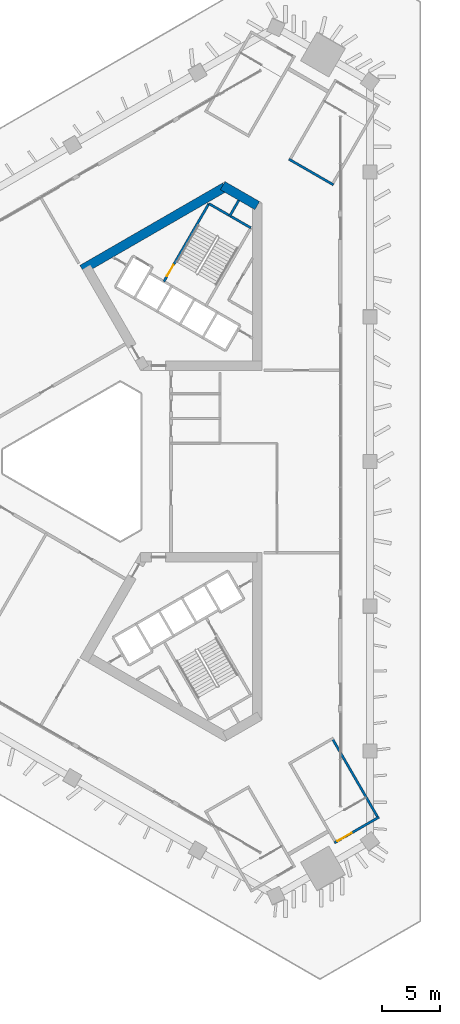
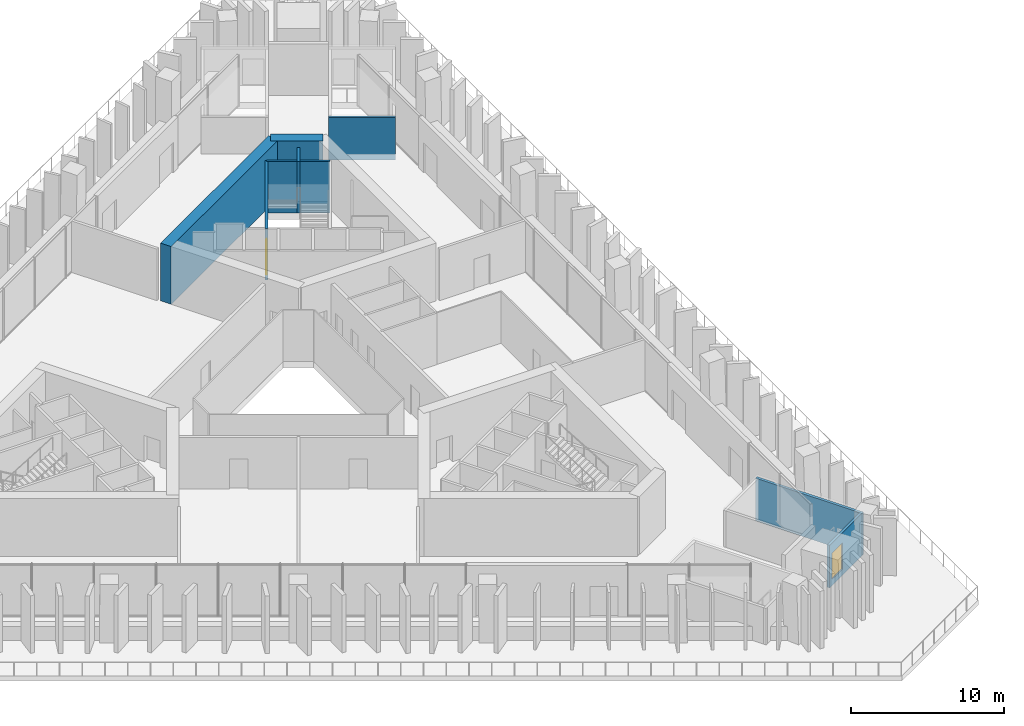
# One storey, part 19 of 31: 8 walls, 2 doors, 2 openings.
"""IFC4 building model written with IfcOpenShell, lengths in metres."""

import ifcopenshell
import ifcopenshell.guid

model = None  # the IFC model being written
_history = None  # IfcOwnerHistory: only IFC2X3 demands one
_inside = {}  # id of a spatial element -> (the spatial element, [elements in it])
_under = {}  # id of a project, library or spatial element -> (it, [spatial elements below it])
_declared = {}  # id of a project -> (the project, [libraries it declares])
_typed = {}  # id of a type object -> (the type object, [elements of that type])
_made_of = {}  # id of a material, layer set ... -> (it, [elements and type objects made of it])


def new_model(schema):
    """Start an empty IFC model of exactly this schema.

    Asked for "IFC4X3", IfcOpenShell would pick the latest addendum, in which some entities
    have other attributes; the version numbers below select the first issue.
    IFC2X3 requires an IfcOwnerHistory on every rooted entity: one is made here for all.
    """
    global model, _history
    if schema == "IFC4X3":
        model = ifcopenshell.file(schema_version=(4, 3, 0, 0))
    else:
        model = ifcopenshell.file(schema=schema)
    _inside.clear()
    _under.clear()
    _declared.clear()
    _typed.clear()
    _made_of.clear()
    _history = None
    if model.schema == "IFC2X3":
        org = make("IfcOrganization", Name="unknown")
        user = make(
            "IfcPersonAndOrganization",
            ThePerson=make("IfcPerson", FamilyName="unknown"),
            TheOrganization=org,
        )
        app = make(
            "IfcApplication",
            ApplicationDeveloper=org,
            Version="unknown",
            ApplicationFullName="unknown",
            ApplicationIdentifier="unknown",
        )
        _history = make(
            "IfcOwnerHistory",
            OwningUser=user,
            OwningApplication=app,
            ChangeAction="ADDED",
            CreationDate=0,
        )
    return model


def make(cls, **values):
    """One entity of the class cls with the attributes given. An attribute that is None is left unset."""
    return model.create_entity(
        cls, **{name: value for name, value in values.items() if value is not None}
    )


def rooted(cls, **values):
    """An entity with a GlobalId (a new one), such as an element, a storey or a relation."""
    return make(cls, GlobalId=ifcopenshell.guid.new(), OwnerHistory=_history, **values)


def si_unit(unit_type, name, prefix=None):
    """IfcSIUnit, for example si_unit("LENGTHUNIT", "METRE", prefix="MILLI")."""
    return make("IfcSIUnit", UnitType=unit_type, Prefix=prefix, Name=name)


def assignment(units):
    """IfcUnitAssignment: the units of a project."""
    return None if units is None else make("IfcUnitAssignment", Units=units)


def point(xyz):
    """IfcCartesianPoint."""
    return None if xyz is None else make("IfcCartesianPoint", Coordinates=xyz)


def direction(xyz):
    """IfcDirection."""
    return None if xyz is None else make("IfcDirection", DirectionRatios=xyz)


def frame(location, z_axis=None, x_axis=None):
    """IfcAxis2Placement3D, a coordinate frame: its origin and axes. An axis left out is left unset."""
    return make(
        "IfcAxis2Placement3D",
        Location=point(location),
        Axis=direction(z_axis),
        RefDirection=direction(x_axis),
    )


def frame_2d(location, x_axis=None):
    """IfcAxis2Placement2D, a coordinate frame in the plane: its origin and x axis."""
    return make(
        "IfcAxis2Placement2D", Location=point(location), RefDirection=direction(x_axis)
    )


def origin():
    """The frame at (0, 0, 0) with its axes left unset."""
    return frame((0.0, 0.0, 0.0))


def place(relative_to, where):
    """IfcLocalPlacement: puts the frame where relative to a parent placement (None: the world)."""
    return make(
        "IfcLocalPlacement", PlacementRelTo=relative_to, RelativePlacement=where
    )


def context(
    kind, dimensions, precision=None, world=None, true_north=None, identifier=None
):
    """IfcGeometricRepresentationContext, for example the 3D "Model" context."""
    return make(
        "IfcGeometricRepresentationContext",
        ContextIdentifier=identifier,
        ContextType=kind,
        CoordinateSpaceDimension=dimensions,
        Precision=precision,
        WorldCoordinateSystem=world,
        TrueNorth=true_north,
    )


def subcontext(parent, identifier, kind, view, scale=None):
    """IfcGeometricRepresentationSubContext, for example "Body" below "Model"."""
    return make(
        "IfcGeometricRepresentationSubContext",
        ContextIdentifier=identifier,
        ContextType=kind,
        ParentContext=parent,
        TargetScale=scale,
        TargetView=view,
    )


def project(units=None, contexts=None):
    """IfcProject with its units and contexts."""
    return rooted(
        "IfcProject",
        Name="project",
        RepresentationContexts=contexts,
        UnitsInContext=assignment(units),
    )


def spatial(cls, under=None, at=None, **own):
    """A site, building, storey or space (cls), placed at a placement, below another one or the project."""
    s = rooted(cls, ObjectPlacement=at, **own)
    if under is not None:
        _under.setdefault(under.id(), (under, []))[1].append(s)
    return s


def profile(cls, at=None, kind="AREA", **sizes):
    """A parametric profile (cls). Its sizes go by their IFC names, for example OverallWidth=200.0."""
    return make(cls, ProfileType=kind, Position=at, **sizes)


def rectangle(**sizes):
    """IfcRectangleProfileDef."""
    return profile("IfcRectangleProfileDef", **sizes)


def extrude(swept, where, along, depth):
    """IfcExtrudedAreaSolid: the profile swept, set in the frame where, extruded along a direction by depth."""
    return make(
        "IfcExtrudedAreaSolid",
        SweptArea=swept,
        Position=where,
        ExtrudedDirection=direction(along),
        Depth=depth,
    )


def shape(context_of_items, identifier, shape_type, items):
    """IfcShapeRepresentation: the items that make up one representation, for example the "Body"."""
    return make(
        "IfcShapeRepresentation",
        ContextOfItems=context_of_items,
        RepresentationIdentifier=identifier,
        RepresentationType=shape_type,
        Items=items,
    )


def material(Name=None, Category=None):
    """IfcMaterial."""
    return make("IfcMaterial", Name=Name, Category=Category)


def layer(
    of_material, thickness, ventilated=None, Name=None, Category=None, Priority=None
):
    """IfcMaterialLayer: one layer of a wall or slab, of a material (None: an air gap)."""
    return make(
        "IfcMaterialLayer",
        Material=of_material,
        LayerThickness=thickness,
        IsVentilated=ventilated,
        Name=Name,
        Category=Category,
        Priority=Priority,
    )


def layer_set(layers, Name=None):
    """IfcMaterialLayerSet."""
    return make("IfcMaterialLayerSet", MaterialLayers=layers, LayerSetName=Name)


def made_of(thing, what):
    """Note that an element or type object is made of a material, layer set ...; save() writes the relation."""
    if what is not None:
        _made_of.setdefault(what.id(), (what, []))[1].append(thing)
    return thing


def type_object(cls, material=None, **own):
    """A type object (cls), such as IfcWallType, which elements share."""
    return made_of(rooted(cls, **own), material)


def element(
    cls,
    number,
    at=None,
    inside=None,
    cuts=None,
    type_object=None,
    material=None,
    context=None,
    identifier="Body",
    shape_type=None,
    held_by="IfcProductDefinitionShape",
    body=None,
    shapes=None,
    **own,
):
    """One element of the class cls, such as IfcWall. Its Tag is "e" and its number.

    at: its placement. inside: the storey or other place that contains it. cuts: it is an
    opening in that element (IfcRelVoidsElement). A single representation is given by context,
    identifier, shape_type and body (its items); several are given by shapes. held_by: the class
    of the entity that holds the representations. save() writes the other relations.
    """
    e = rooted(cls, Tag="e%d" % number, ObjectPlacement=at, **own)
    if body is not None:
        shapes = [shape(context, identifier, shape_type, body)]
    if shapes is not None:
        e.Representation = make(held_by, Representations=shapes)
    if inside is not None:
        _inside.setdefault(inside.id(), (inside, []))[1].append(e)
    if cuts is not None:
        rooted(
            "IfcRelVoidsElement", RelatingBuildingElement=cuts, RelatedOpeningElement=e
        )
    if type_object is not None:
        _typed.setdefault(type_object.id(), (type_object, []))[1].append(e)
    return made_of(e, material)


def fill(opening, filler):
    """IfcRelFillsElement: the door or window that sits in an opening."""
    return rooted(
        "IfcRelFillsElement",
        RelatingOpeningElement=opening,
        RelatedBuildingElement=filler,
    )


def aggregate(whole, parts):
    """IfcRelAggregates: a whole, such as a stair, and the parts it consists of."""
    return rooted("IfcRelAggregates", RelatingObject=whole, RelatedObjects=parts)


def save(model, path):
    """Write the relations noted so far, then the file.

    IfcRelAggregates (storeys below a building ...), IfcRelContainedInSpatialStructure (elements
    in a storey), IfcRelDefinesByType, IfcRelAssociatesMaterial and IfcRelDeclares: one each for
    every whole, place, type object, material and project.
    """
    for whole, parts in _under.values():
        aggregate(whole, parts)
    for where, things in _inside.values():
        rooted(
            "IfcRelContainedInSpatialStructure",
            RelatedElements=things,
            RelatingStructure=where,
        )
    for kind, things in _typed.values():
        rooted("IfcRelDefinesByType", RelatedObjects=things, RelatingType=kind)
    for what, things in _made_of.values():
        rooted("IfcRelAssociatesMaterial", RelatedObjects=things, RelatingMaterial=what)
    for by, libraries in _declared.values():
        rooted("IfcRelDeclares", RelatingContext=by, RelatedDefinitions=libraries)
    model.write(path)


model = new_model("IFC4")

# Units and contexts
model_context = context("Model", 3, precision=1e-05, world=origin(), true_north=direction((0.0, 1.0)))
body_context = subcontext(model_context, "Body", "Model", "MODEL_VIEW")
ifc_project = project(units=[si_unit("LENGTHUNIT", "METRE"), si_unit("AREAUNIT", "SQUARE_METRE"), si_unit("VOLUMEUNIT", "CUBIC_METRE"), si_unit("PLANEANGLEUNIT", "RADIAN"), si_unit("MASSUNIT", "GRAM", prefix="KILO")], contexts=[model_context])

# Site, building, storey
site_placement = place(None, origin())
site = spatial("IfcSite", under=ifc_project, at=site_placement, CompositionType="ELEMENT")
building_placement = place(site_placement, origin())
building = spatial("IfcBuilding", under=site, at=building_placement, Name="Jabali Bay Hotel Tower and Convention Centre", CompositionType="ELEMENT")
storey_placement = place(building_placement, frame((0.0, 0.0, 25.39990234375)))
storey = spatial("IfcBuildingStorey", under=building, at=storey_placement, Name="L04", CompositionType="ELEMENT", Elevation=25.39990234375)

# Wall
ifc_material_1 = material(Name="Concrete C40", Category="concrete")
ifc_layer_1 = layer(ifc_material_1, 0.199951171875)
ifc_layer_set_1 = layer_set([ifc_layer_1], Name="Concrete C40")
wall_type_1 = type_object("IfcWallType", Name="Core partition wall 200", PredefinedType="PARTITIONING", material=ifc_layer_set_1)
wall_1_placement = place(storey_placement, frame((87.090087890625, 100.9404296875, 0.0), z_axis=(0.0, 0.0, 1.0), x_axis=(0.499956811548, 0.866050337213, 0.0)))
element("IfcWall", 1, at=wall_1_placement, inside=storey, type_object=wall_type_1, Name="Core wall 1.5 L04", PredefinedType="PARTITIONING", context=body_context, shape_type="SweptSolid", body=[
    extrude(rectangle(XDim=1.623291015625, YDim=0.199951171875, at=frame_2d((0.8115234375, 0.0))), origin(), (0.0, 0.0, 1.0), 4.10009765625),
])

# Wall, opening, door
ifc_layer_2 = layer(ifc_material_1, 0.199951171875)
ifc_layer_set_2 = layer_set([ifc_layer_2], Name="Concrete C40")
wall_type_2 = type_object("IfcWallType", Name="Core stair wall 200", PredefinedType="SOLIDWALL", material=ifc_layer_set_2)
wall_2_placement = place(storey_placement, frame((81.492919921875, 95.396240234375, 0.0), z_axis=(0.0, 0.0, 1.0), x_axis=(0.500006057782, 0.866021906294, 0.0)))
wall_2 = element("IfcWall", 2, at=wall_2_placement, inside=storey, type_object=wall_type_2, Name="Core wall 1.7 L04", PredefinedType="SOLIDWALL", context=body_context, shape_type="SweptSolid", body=[
    extrude(rectangle(XDim=7.7001953125, YDim=0.199951171875, at=frame_2d((3.85009765625, 0.0))), origin(), (0.0, 0.0, 1.0), 4.10009765625),
])
opening_1_placement = place(wall_2_placement, frame((0.550048828125, 0.0, 0.0)))
opening_1 = element("IfcOpeningElement", 3, at=opening_1_placement, cuts=wall_2, Name="Opening D190", PredefinedType="OPENING", context=body_context, shape_type="SweptSolid", body=[
    extrude(rectangle(XDim=1.10009765625, YDim=2.10009765625, at=frame_2d((0.550048828125, 1.050048828125))), frame((0.0, 0.1103515625, 0.0), z_axis=(0.0, -1.0, 0.0), x_axis=(1.0, 0.0, 0.0)), (0.0, 0.0, 1.0), 0.220947265625),
])
ifc_material_2 = material(Name="Fire-rated steel door", Category="steel")
door_type_1 = type_object("IfcDoorType", Name="Stair fire door 1100 x 2100", OperationType="NOTDEFINED", PredefinedType="NOTDEFINED", material=ifc_material_2)
door_1_placement = place(opening_1_placement, origin())
door_1 = element("IfcDoor", 4, at=door_1_placement, inside=storey, type_object=door_type_1, Name="Stair fire door D190", OperationType="SINGLE_SWING_RIGHT", OverallHeight=2.10009765625, OverallWidth=1.10009765625, PredefinedType="NOTDEFINED", context=body_context, shape_type="SweptSolid", body=[
    extrude(rectangle(XDim=1.10009765625, YDim=2.10009765625, at=frame_2d((0.550048828125, 1.050048828125))), frame((0.0, 0.02490234375, 0.0), z_axis=(0.0, -1.0, 0.0), x_axis=(1.0, 0.0, 0.0)), (0.0, 0.0, 1.0), 0.050048828125),
])
fill(opening_1, door_1)

# Walls
wall_3_placement = place(storey_placement, frame((88.93701171875, 99.989501953125, 0.0), z_axis=(0.0, 0.0, 1.0), x_axis=(-0.866004344652, 0.500036473714, 0.0)))
element("IfcWall", 5, at=wall_3_placement, inside=storey, type_object=wall_type_2, Name="Core wall 1.16 L04", PredefinedType="SOLIDWALL", context=body_context, shape_type="SweptSolid", body=[
    extrude(rectangle(XDim=4.150146484375, YDim=0.199951171875, at=frame_2d((2.0751953125, 0.0))), origin(), (0.0, 0.0, 1.0), 4.10009765625),
])
ifc_material_3 = material(Name="Concrete C60", Category="concrete")
ifc_layer_3 = layer(ifc_material_3, 0.800048828125)
ifc_layer_set_3 = layer_set([ifc_layer_3], Name="Concrete C60")
wall_type_3 = type_object("IfcWallType", Name="Core wall 800", PredefinedType="SHEAR", material=ifc_layer_set_3)
wall_4_placement = place(storey_placement, frame((89.47998046875, 101.896728515625, 0.0), z_axis=(0.0, 0.0, 1.0), x_axis=(-0.866034355626, 0.499984494636, 0.0)))
element("IfcWall", 6, at=wall_4_placement, inside=storey, type_object=wall_type_3, Name="Core wall 2.3 L04", PredefinedType="SHEAR", context=body_context, shape_type="SweptSolid", body=[
    extrude(rectangle(XDim=3.4140625, YDim=0.800048828125, at=frame_2d((1.70703125, 0.0))), origin(), (0.0, 0.0, 1.0), 4.60009765625),
])
wall_5_placement = place(storey_placement, frame((86.72314453125, 103.48828125, 0.0), z_axis=(0.0, 0.0, 1.0), x_axis=(-0.866032504327, -0.499987701298, 0.0)))
element("IfcWall", 7, at=wall_5_placement, inside=storey, type_object=wall_type_3, Name="Core wall 2.4 L04", PredefinedType="SHEAR", context=body_context, shape_type="SweptSolid", body=[
    extrude(rectangle(XDim=14.102294921875, YDim=0.800048828125, at=frame_2d((7.05126953125, 0.0))), origin(), (0.0, 0.0, 1.0), 4.60009765625),
])
ifc_layer_4 = layer(ifc_material_1, 0.199951171875)
ifc_layer_set_4 = layer_set([ifc_layer_4], Name="Concrete C40")
wall_type_4 = type_object("IfcWallType", Name="Podium stair enclosure wall 200", PredefinedType="SOLIDWALL", material=ifc_layer_set_4)
wall_6_placement = place(storey_placement, frame((92.188720703125, 105.871826171875, -0.5), z_axis=(0.0, 0.0, 1.0), x_axis=(0.866032203192, -0.499988222896, 0.0)))
element("IfcWall", 8, at=wall_6_placement, inside=storey, type_object=wall_type_4, Name="Podium stair wall 4.3 L04", PredefinedType="SOLIDWALL", context=body_context, shape_type="SweptSolid", body=[
    extrude(rectangle(XDim=4.39990234375, YDim=0.199951171875, at=frame_2d((2.199951171875, 0.0))), origin(), (0.0, 0.0, 1.0), 3.400146484375),
])

# Wall, opening, door
wall_7_placement = place(storey_placement, frame((96.0888671875, 47.373291015625, -0.5), z_axis=(0.0, 0.0, 1.0), x_axis=(0.866018331238, 0.50001224981, 0.0)))
wall_7 = element("IfcWall", 9, at=wall_7_placement, inside=storey, type_object=wall_type_4, Name="Podium stair wall 5.1 L04", PredefinedType="SOLIDWALL", context=body_context, shape_type="SweptSolid", body=[
    extrude(rectangle(XDim=4.39990234375, YDim=0.199951171875, at=frame_2d((2.199951171875, 0.0))), origin(), (0.0, 0.0, 1.0), 3.400146484375),
])
opening_2_placement = place(wall_7_placement, frame((0.300048828125, 0.0, 0.5)))
opening_2 = element("IfcOpeningElement", 10, at=opening_2_placement, cuts=wall_7, Name="Opening D1760", PredefinedType="OPENING", context=body_context, shape_type="SweptSolid", body=[
    extrude(rectangle(XDim=1.39990234375, YDim=2.10009765625, at=frame_2d((0.699951171875, 1.050048828125))), frame((0.0, 0.1103515625, 0.0), z_axis=(0.0, -1.0, 0.0), x_axis=(1.0, 0.0, 0.0)), (0.0, 0.0, 1.0), 0.220947265625),
])
door_type_2 = type_object("IfcDoorType", Name="Podium stair fire door 1400 x 2100", OperationType="NOTDEFINED", PredefinedType="NOTDEFINED", material=ifc_material_2)
door_2_placement = place(opening_2_placement, origin())
door_2 = element("IfcDoor", 11, at=door_2_placement, inside=storey, type_object=door_type_2, Name="Podium stair fire door D1760", OperationType="SINGLE_SWING_RIGHT", OverallHeight=2.10009765625, OverallWidth=1.39990234375, PredefinedType="NOTDEFINED", context=body_context, shape_type="SweptSolid", body=[
    extrude(rectangle(XDim=1.39990234375, YDim=2.10009765625, at=frame_2d((0.699951171875, 1.050048828125))), frame((0.0, 0.02490234375, 0.0), z_axis=(0.0, -1.0, 0.0), x_axis=(1.0, 0.0, 0.0)), (0.0, 0.0, 1.0), 0.050048828125),
])
fill(opening_2, door_2)

# Wall
wall_8_placement = place(storey_placement, frame((99.862548828125, 49.4365234375, -0.5), z_axis=(0.0, 0.0, 1.0), x_axis=(-0.49999894854, 0.866026010844, 0.0)))
element("IfcWall", 12, at=wall_8_placement, inside=storey, type_object=wall_type_4, Name="Podium stair wall 5.2 L04", PredefinedType="SOLIDWALL", context=body_context, shape_type="SweptSolid", body=[
    extrude(rectangle(XDim=8.0, YDim=0.199951171875, at=frame_2d((4.0, 0.0))), origin(), (0.0, 0.0, 1.0), 3.400146484375),
])

save(model, "model.ifc")
